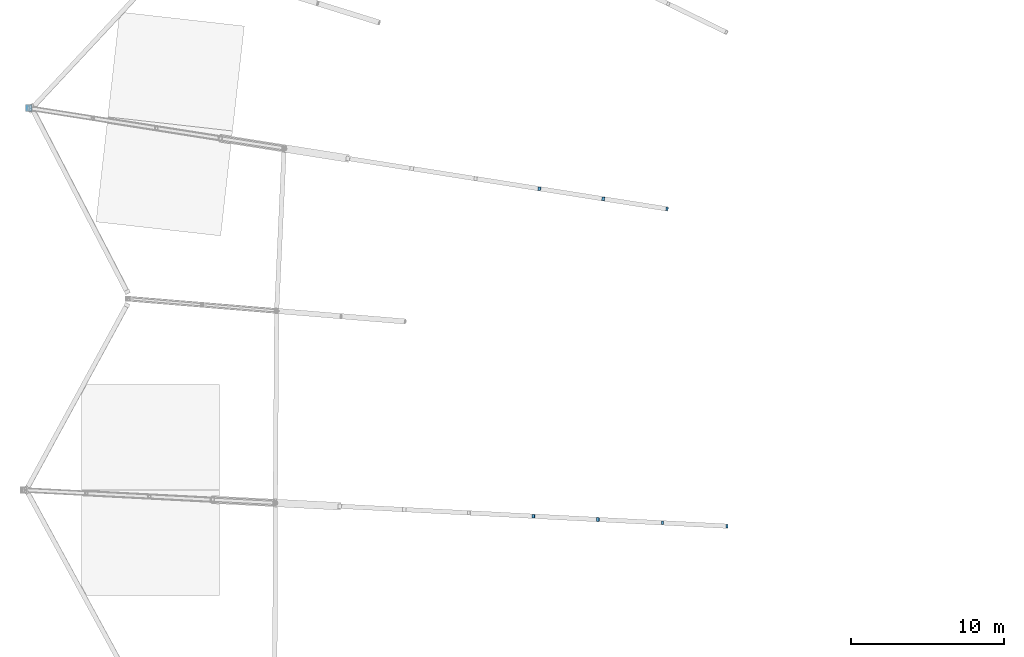
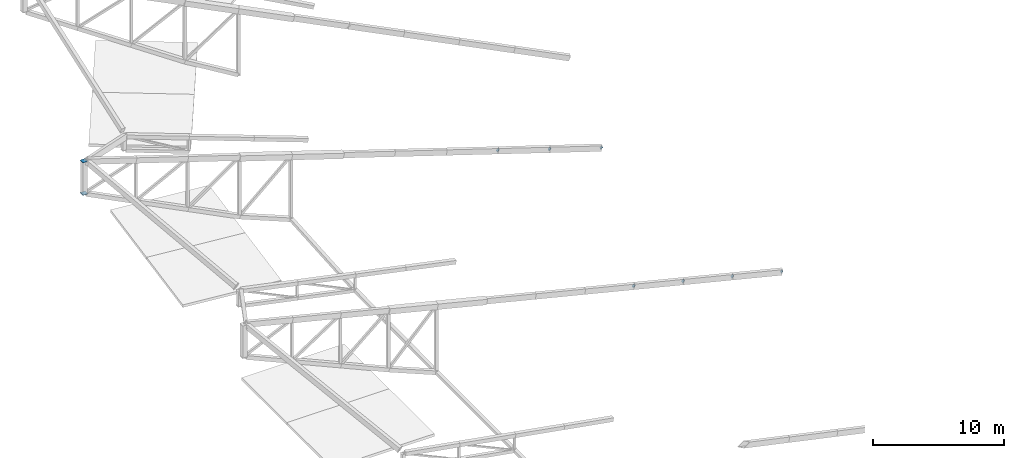
# One storey, part 159 of 188: 9 discrete accessories.
"""IFC4 building model written with IfcOpenShell, lengths in metres."""

from ifc_helpers import new_model, si_unit, direction, frame, origin, origin_2d, place, context, subcontext, project, spatial, rectangle, extrude, material, material_profile, profile_set, type_object, element, save


model = new_model("IFC4")

# Units and contexts
model_context = context("Model", 3, precision=1e-05, world=origin(), true_north=direction((0.0, 1.0)))
body_context = subcontext(model_context, "Body", "Model", "MODEL_VIEW")
ifc_project = project(units=[si_unit("LENGTHUNIT", "METRE"), si_unit("AREAUNIT", "SQUARE_METRE"), si_unit("VOLUMEUNIT", "CUBIC_METRE"), si_unit("PLANEANGLEUNIT", "RADIAN"), si_unit("MASSUNIT", "GRAM", prefix="KILO")], contexts=[model_context])

# Site, building, storey
site_placement = place(None, origin())
site = spatial("IfcSite", under=ifc_project, at=site_placement, CompositionType="ELEMENT")
building_placement = place(site_placement, origin())
building = spatial("IfcBuilding", under=site, at=building_placement, Name="Meseta Stadium", CompositionType="ELEMENT")
storey_placement = place(building_placement, frame((0.0, 0.0, 30.0)))
storey = spatial("IfcBuildingStorey", under=building, at=storey_placement, Name="ROOF", CompositionType="ELEMENT", Elevation=30.0)

# Discrete accessories
ifc_material_1 = material(Name="Steel S355", Category="steel")
ifc_material_profile_1 = material_profile(ifc_material_1, rectangle(XDim=0.219970703125, YDim=0.219970703125, at=origin_2d()), Name="PL 220x220")
ifc_profile_set_1 = profile_set([ifc_material_profile_1], Name="Steel S355")
discrete_accessory_type_1 = type_object("IfcDiscreteAccessoryType", Name="End plate 220x220x20", PredefinedType="ANCHORPLATE", material=ifc_profile_set_1)
for number, where, z_axis, x_axis, name in (
    (1, (-59.340576171875, 49.61083984375, 1.05810546875), (-0.765508489954, 0.12150928412, 0.631848277422), (-0.156767544201, -0.987635528464, 0.0), "End plate of ROOF TRUSS RT-28 diagonal"),
    (2, (-55.42431640625, 28.886962890625, 0.728759765625), (-0.827730958128, 0.03651754227, 0.559935648145), (-0.044074775071, -0.999028234938, 0.0), "End plate of ROOF TRUSS RT-30 diagonal"),
    (3, (-59.640869140625, 29.103759765625, 1.625), (-0.781534581333, 0.0366344335, 0.6227853695), (-0.046823586299, -0.99890317437, 0.0), "End plate of ROOF TRUSS RT-30 diagonal"),
):
    element("IfcDiscreteAccessory", number, at=place(storey_placement, frame(where, z_axis=z_axis, x_axis=x_axis)), inside=storey, type_object=discrete_accessory_type_1, Name=name, PredefinedType="ANCHORPLATE", context=body_context, shape_type="SweptSolid", body=[
        extrude(rectangle(XDim=0.219970703125, YDim=0.219970703125, at=origin_2d()), origin(), (0.0, 0.0, 1.0), 0.02001953125),
    ])
ifc_material_2 = material(Name="Steel S355", Category="steel")
ifc_material_profile_2 = material_profile(ifc_material_2, rectangle(XDim=0.239990234375, YDim=0.239990234375, at=origin_2d()), Name="PL 240x240")
ifc_profile_set_2 = profile_set([ifc_material_profile_2], Name="Steel S355")
discrete_accessory_type_2 = type_object("IfcDiscreteAccessoryType", Name="End plate 240x240x20", PredefinedType="ANCHORPLATE", material=ifc_profile_set_2)
discrete_accessory_placement = place(storey_placement, frame((-63.51123046875, 50.27001953125, 1.99560546875), z_axis=(-0.714960499205, 0.110942146428, 0.690306688887), x_axis=(-0.153337329832, -0.988173903359, 0.0)))
element("IfcDiscreteAccessory", 4, at=discrete_accessory_placement, inside=storey, type_object=discrete_accessory_type_2, Name="End plate of ROOF TRUSS RT-28 diagonal", PredefinedType="ANCHORPLATE", context=body_context, shape_type="SweptSolid", body=[
    extrude(rectangle(XDim=0.239990234375, YDim=0.239990234375, at=origin_2d()), origin(), (0.0, 0.0, 1.0), 0.019775390625),
])
for number, where, z_axis, x_axis, name in (
    (5, (-67.681640625, 50.928955078125, 2.93310546875), (-0.671631280833, 0.1099033005, 0.73268867), (-0.161488568111, -0.986874582898, 0.0), "End plate of ROOF TRUSS RT-28 diagonal"),
    (6, (-63.857421875, 29.3203125, 2.521240234375), (-0.730567373975, 0.036528368699, 0.681862882377), (-0.049937616944, -0.998752338878, 0.0), "End plate of ROOF TRUSS RT-30 diagonal"),
    (7, (-68.07421875, 29.537109375, 3.41748046875), (-0.681862882377, 0.036528368699, 0.730567373975), (-0.053494721372, -0.99856813227, 0.0), "End plate of ROOF TRUSS RT-30 diagonal"),
):
    element("IfcDiscreteAccessory", number, at=place(storey_placement, frame(where, z_axis=z_axis, x_axis=x_axis)), inside=storey, type_object=discrete_accessory_type_2, Name=name, PredefinedType="ANCHORPLATE", context=body_context, shape_type="SweptSolid", body=[
        extrude(rectangle(XDim=0.239990234375, YDim=0.239990234375, at=origin_2d()), origin(), (0.0, 0.0, 1.0), 0.02001953125),
    ])
ifc_material_3 = material(Name="Steel S355", Category="steel")
ifc_material_profile_3 = material_profile(ifc_material_3, rectangle(XDim=0.43994140625, YDim=0.43994140625, at=origin_2d()), Name="PL 440x440")
ifc_profile_set_3 = profile_set([ifc_material_profile_3], Name="Steel S355")
discrete_accessory_type_3 = type_object("IfcDiscreteAccessoryType", Name="End plate 440x440x20", PredefinedType="ANCHORPLATE", material=ifc_profile_set_3)
for number, where, z_axis, x_axis, name in (
    (8, (-101.0517578125, 56.202880859375, 7.4150390625), (0.0, 0.0, 1.0), (1.0, 0.0, 0.0), "End plate of ROOF TRUSS RT-28 post"),
    (9, (-101.0517578125, 56.202880859375, 10.43505859375), (0.0, 0.0, 1.0), (1.0, 0.0, 0.0), "End plate of ROOF TRUSS RT-28 post"),
):
    element("IfcDiscreteAccessory", number, at=place(storey_placement, frame(where, z_axis=z_axis, x_axis=x_axis)), inside=storey, type_object=discrete_accessory_type_3, Name=name, PredefinedType="ANCHORPLATE", context=body_context, shape_type="SweptSolid", body=[
        extrude(rectangle(XDim=0.43994140625, YDim=0.43994140625, at=origin_2d()), origin(), (0.0, 0.0, 1.0), 0.02001953125),
    ])

save(model, "model.ifc")
